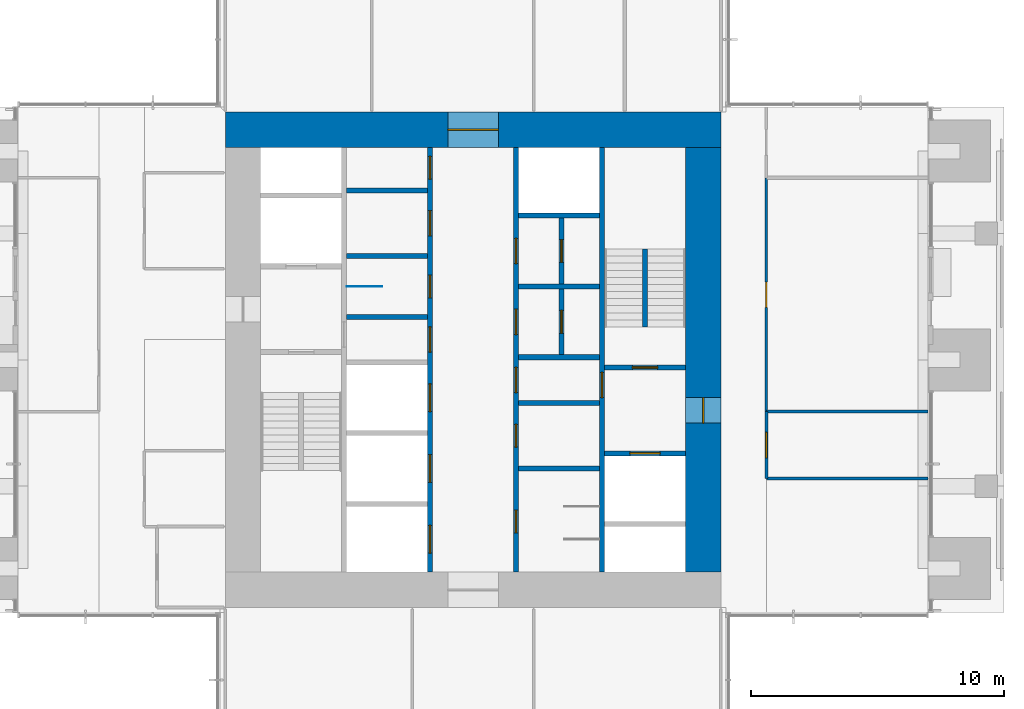
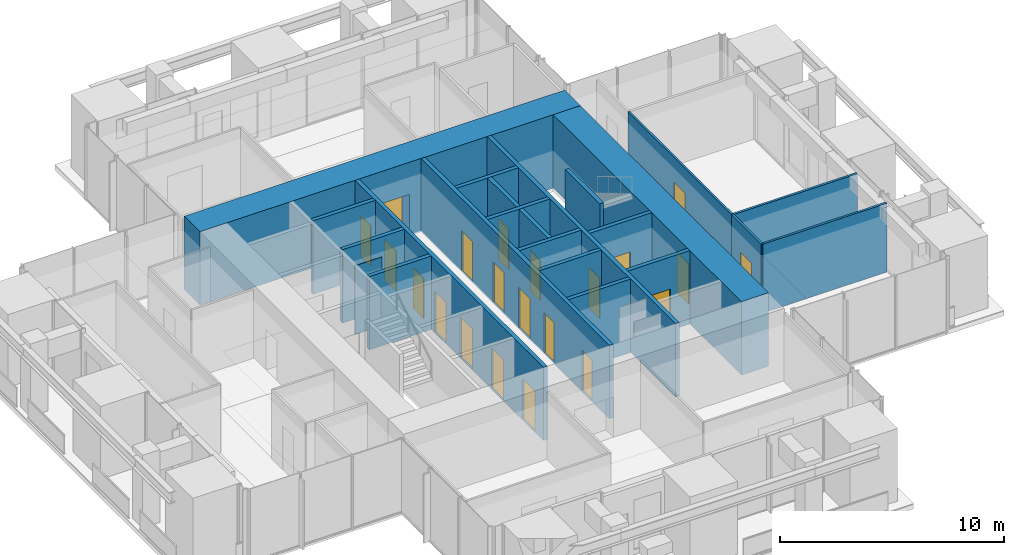
# One storey, part 13 of 17: 23 walls, 21 doors, 21 openings.
"""IFC4 building model written with IfcOpenShell, lengths in metres."""

from ifc_helpers import new_model, si_unit, direction, frame, frame_2d, origin, place, context, subcontext, project, spatial, rectangle, extrude, material, layer, layer_set, type_object, element, fill, save


model = new_model("IFC4")

# Units and contexts
model_context = context("Model", 3, precision=1e-05, world=origin(), true_north=direction((0.0, 1.0)))
body_context = subcontext(model_context, "Body", "Model", "MODEL_VIEW")
ifc_project = project(units=[si_unit("LENGTHUNIT", "METRE"), si_unit("AREAUNIT", "SQUARE_METRE"), si_unit("VOLUMEUNIT", "CUBIC_METRE"), si_unit("PLANEANGLEUNIT", "RADIAN"), si_unit("MASSUNIT", "GRAM", prefix="KILO")], contexts=[model_context])

# Site, building, storey
site_placement = place(None, origin())
site = spatial("IfcSite", under=ifc_project, at=site_placement, CompositionType="ELEMENT")
building_placement = place(site_placement, origin())
building = spatial("IfcBuilding", under=site, at=building_placement, Name="Svetlomir Tower", CompositionType="ELEMENT")
storey_placement = place(building_placement, frame((0.0, 0.0, 214.5)))
storey = spatial("IfcBuildingStorey", under=building, at=storey_placement, Name="L51", CompositionType="ELEMENT", Elevation=214.5)

# Wall, openings, doors
ifc_material_1 = material(Name="Concrete C60/75", Category="concrete")
ifc_layer_1 = layer(ifc_material_1, 0.199951171875)
ifc_layer_set_1 = layer_set([ifc_layer_1], Name="Concrete C60/75")
wall_type_1 = type_object("IfcWallType", Name="CORE INNER WALL 200", PredefinedType="SHEAR", material=ifc_layer_set_1)
wall_1_placement = place(storey_placement, frame((19.300048828125, 12.60009765625, -0.050048828125), z_axis=(0.0, 0.0, 1.0), x_axis=(0.0, 1.0, 0.0)))
wall_1 = element("IfcWall", 1, at=wall_1_placement, inside=storey, type_object=wall_type_1, Name="Core inner wall 19.3 L51", PredefinedType="SHEAR", context=body_context, shape_type="SweptSolid", body=[
    extrude(rectangle(XDim=16.7998046875, YDim=0.199951171875, at=frame_2d((8.39990234375, 0.0))), origin(), (0.0, 0.0, 1.0), 4.0),
])
opening_1_placement = place(wall_1_placement, frame((8.699951171875, 0.0, 0.050048828125)))
opening_1 = element("IfcOpeningElement", 2, at=opening_1_placement, cuts=wall_1, Name="Opening DC", PredefinedType="OPENING", context=body_context, shape_type="SweptSolid", body=[
    extrude(rectangle(XDim=1.0, YDim=2.199951171875, at=frame_2d((0.5, 1.10009765625))), frame((0.0, 0.10986328125, 0.0), z_axis=(0.0, -1.0, 0.0), x_axis=(1.0, 0.0, 0.0)), (0.0, 0.0, 1.0), 0.219970703125),
])
opening_2_placement = place(wall_1_placement, frame((10.85009765625, 0.0, 0.050048828125)))
opening_2 = element("IfcOpeningElement", 3, at=opening_2_placement, cuts=wall_1, Name="Opening DW", PredefinedType="OPENING", context=body_context, shape_type="SweptSolid", body=[
    extrude(rectangle(XDim=0.89990234375, YDim=2.199951171875, at=frame_2d((0.449951171875, 1.10009765625))), frame((0.0, 0.10986328125, 0.0), z_axis=(0.0, -1.0, 0.0), x_axis=(1.0, 0.0, 0.0)), (0.0, 0.0, 1.0), 0.219970703125),
])
opening_3_placement = place(wall_1_placement, frame((13.300048828125, 0.0, 0.050048828125)))
opening_3 = element("IfcOpeningElement", 4, at=opening_3_placement, cuts=wall_1, Name="Opening DC", PredefinedType="OPENING", context=body_context, shape_type="SweptSolid", body=[
    extrude(rectangle(XDim=1.0, YDim=2.199951171875, at=frame_2d((0.5, 1.10009765625))), frame((0.0, 0.10986328125, 0.0), z_axis=(0.0, -1.0, 0.0), x_axis=(1.0, 0.0, 0.0)), (0.0, 0.0, 1.0), 0.219970703125),
])
opening_4_placement = place(wall_1_placement, frame((15.550048828125, 0.0, 0.050048828125)))
opening_4 = element("IfcOpeningElement", 5, at=opening_4_placement, cuts=wall_1, Name="Opening DW", PredefinedType="OPENING", context=body_context, shape_type="SweptSolid", body=[
    extrude(rectangle(XDim=0.89990234375, YDim=2.199951171875, at=frame_2d((0.449951171875, 1.10009765625))), frame((0.0, 0.10986328125, 0.0), z_axis=(0.0, -1.0, 0.0), x_axis=(1.0, 0.0, 0.0)), (0.0, 0.0, 1.0), 0.219970703125),
])
opening_5_placement = place(wall_1_placement, frame((0.75, 0.0, 0.050048828125)))
opening_5 = element("IfcOpeningElement", 6, at=opening_5_placement, cuts=wall_1, Name="Opening LD", PredefinedType="OPENING", context=body_context, shape_type="SweptSolid", body=[
    extrude(rectangle(XDim=1.10009765625, YDim=2.199951171875, at=frame_2d((0.550048828125, 1.10009765625))), frame((0.0, 0.10986328125, 0.0), z_axis=(0.0, -1.0, 0.0), x_axis=(1.0, 0.0, 0.0)), (0.0, 0.0, 1.0), 0.219970703125),
])
opening_6_placement = place(wall_1_placement, frame((3.550048828125, 0.0, 0.050048828125)))
opening_6 = element("IfcOpeningElement", 7, at=opening_6_placement, cuts=wall_1, Name="Opening LD", PredefinedType="OPENING", context=body_context, shape_type="SweptSolid", body=[
    extrude(rectangle(XDim=1.10009765625, YDim=2.199951171875, at=frame_2d((0.550048828125, 1.10009765625))), frame((0.0, 0.10986328125, 0.0), z_axis=(0.0, -1.0, 0.0), x_axis=(1.0, 0.0, 0.0)), (0.0, 0.0, 1.0), 0.219970703125),
])
opening_7_placement = place(wall_1_placement, frame((6.35009765625, 0.0, 0.050048828125)))
opening_7 = element("IfcOpeningElement", 8, at=opening_7_placement, cuts=wall_1, Name="Opening LD", PredefinedType="OPENING", context=body_context, shape_type="SweptSolid", body=[
    extrude(rectangle(XDim=1.10009765625, YDim=2.199951171875, at=frame_2d((0.550048828125, 1.10009765625))), frame((0.0, 0.10986328125, 0.0), z_axis=(0.0, -1.0, 0.0), x_axis=(1.0, 0.0, 0.0)), (0.0, 0.0, 1.0), 0.219970703125),
])
ifc_material_2 = material(Name="Timber fire door", Category="wood")
door_type_1 = type_object("IfcDoorType", Name="DOOR DC 1000x2200", OperationType="SINGLE_SWING_LEFT", PredefinedType="DOOR", material=ifc_material_2)
door_1_placement = place(opening_1_placement, origin())
door_1 = element("IfcDoor", 9, at=door_1_placement, inside=storey, type_object=door_type_1, Name="Core corridor west lobby door L51", OperationType="SINGLE_SWING_LEFT", OverallHeight=2.199951171875, OverallWidth=1.0, PredefinedType="DOOR", context=body_context, shape_type="SweptSolid", body=[
    extrude(rectangle(XDim=1.0, YDim=2.199951171875, at=frame_2d((0.5, 1.10009765625))), frame((0.0, 0.02490234375, 0.0), z_axis=(0.0, -1.0, 0.0), x_axis=(1.0, 0.0, 0.0)), (0.0, 0.0, 1.0), 0.050048828125),
])
fill(opening_1, door_1)
door_2_placement = place(opening_3_placement, origin())
door_2 = element("IfcDoor", 10, at=door_2_placement, inside=storey, type_object=door_type_1, Name="Accessible WC door L51", OperationType="SINGLE_SWING_RIGHT", OverallHeight=2.199951171875, OverallWidth=1.0, PredefinedType="DOOR", context=body_context, shape_type="SweptSolid", body=[
    extrude(rectangle(XDim=1.0, YDim=2.199951171875, at=frame_2d((0.5, 1.10009765625))), frame((0.0, 0.02490234375, 0.0), z_axis=(0.0, -1.0, 0.0), x_axis=(1.0, 0.0, 0.0)), (0.0, 0.0, 1.0), 0.050048828125),
])
fill(opening_3, door_2)
ifc_material_3 = material(Name="Timber fire door", Category="wood")
door_type_2 = type_object("IfcDoorType", Name="DOOR DW 900x2200", OperationType="SINGLE_SWING_LEFT", PredefinedType="DOOR", material=ifc_material_3)
door_3_placement = place(opening_2_placement, origin())
door_3 = element("IfcDoor", 11, at=door_3_placement, inside=storey, type_object=door_type_2, Name="Female WC door L51", OperationType="SINGLE_SWING_LEFT", OverallHeight=2.199951171875, OverallWidth=0.89990234375, PredefinedType="DOOR", context=body_context, shape_type="SweptSolid", body=[
    extrude(rectangle(XDim=0.89990234375, YDim=2.199951171875, at=frame_2d((0.449951171875, 1.10009765625))), frame((0.0, 0.02490234375, 0.0), z_axis=(0.0, -1.0, 0.0), x_axis=(1.0, 0.0, 0.0)), (0.0, 0.0, 1.0), 0.050048828125),
])
fill(opening_2, door_3)
door_4_placement = place(opening_4_placement, origin())
door_4 = element("IfcDoor", 12, at=door_4_placement, inside=storey, type_object=door_type_2, Name="IT floor distributor room door L51", OperationType="SINGLE_SWING_LEFT", OverallHeight=2.199951171875, OverallWidth=0.89990234375, PredefinedType="DOOR", context=body_context, shape_type="SweptSolid", body=[
    extrude(rectangle(XDim=0.89990234375, YDim=2.199951171875, at=frame_2d((0.449951171875, 1.10009765625))), frame((0.0, 0.02490234375, 0.0), z_axis=(0.0, -1.0, 0.0), x_axis=(1.0, 0.0, 0.0)), (0.0, 0.0, 1.0), 0.050048828125),
])
fill(opening_4, door_4)
ifc_material_4 = material(Name="Stainless steel landing door", Category="steel")
door_type_3 = type_object("IfcDoorType", Name="LIFT LANDING DOOR LD 1100x2200", OperationType="DOUBLE_DOOR_SLIDING", PredefinedType="DOOR", material=ifc_material_4)
door_5_placement = place(opening_5_placement, origin())
door_5 = element("IfcDoor", 13, at=door_5_placement, inside=storey, type_object=door_type_3, Name="Landing door lift LC1 L51", OperationType="DOUBLE_DOOR_SLIDING", OverallHeight=2.199951171875, OverallWidth=1.10009765625, PredefinedType="DOOR", context=body_context, shape_type="SweptSolid", body=[
    extrude(rectangle(XDim=1.10009765625, YDim=2.199951171875, at=frame_2d((0.550048828125, 1.10009765625))), frame((0.0, 0.02490234375, 0.0), z_axis=(0.0, -1.0, 0.0), x_axis=(1.0, 0.0, 0.0)), (0.0, 0.0, 1.0), 0.050048828125),
])
fill(opening_5, door_5)
door_6_placement = place(opening_6_placement, origin())
door_6 = element("IfcDoor", 14, at=door_6_placement, inside=storey, type_object=door_type_3, Name="Landing door lift LC2 L51", OperationType="DOUBLE_DOOR_SLIDING", OverallHeight=2.199951171875, OverallWidth=1.10009765625, PredefinedType="DOOR", context=body_context, shape_type="SweptSolid", body=[
    extrude(rectangle(XDim=1.10009765625, YDim=2.199951171875, at=frame_2d((0.550048828125, 1.10009765625))), frame((0.0, 0.02490234375, 0.0), z_axis=(0.0, -1.0, 0.0), x_axis=(1.0, 0.0, 0.0)), (0.0, 0.0, 1.0), 0.050048828125),
])
fill(opening_6, door_6)
door_7_placement = place(opening_7_placement, origin())
door_7 = element("IfcDoor", 15, at=door_7_placement, inside=storey, type_object=door_type_3, Name="Landing door lift LC3 L51", OperationType="DOUBLE_DOOR_SLIDING", OverallHeight=2.199951171875, OverallWidth=1.10009765625, PredefinedType="DOOR", context=body_context, shape_type="SweptSolid", body=[
    extrude(rectangle(XDim=1.10009765625, YDim=2.199951171875, at=frame_2d((0.550048828125, 1.10009765625))), frame((0.0, 0.02490234375, 0.0), z_axis=(0.0, -1.0, 0.0), x_axis=(1.0, 0.0, 0.0)), (0.0, 0.0, 1.0), 0.050048828125),
])
fill(opening_7, door_7)

wall_2_placement = place(storey_placement, frame((22.699951171875, 12.60009765625, -0.050048828125), z_axis=(0.0, 0.0, 1.0), x_axis=(0.0, 1.0, 0.0)))
wall_2 = element("IfcWall", 16, at=wall_2_placement, inside=storey, type_object=wall_type_1, Name="Core inner wall 22.7 L51", PredefinedType="SHEAR", context=body_context, shape_type="SweptSolid", body=[
    extrude(rectangle(XDim=16.7998046875, YDim=0.199951171875, at=frame_2d((8.39990234375, 0.0))), origin(), (0.0, 0.0, 1.0), 4.0),
])
opening_8_placement = place(wall_2_placement, frame((7.10009765625, 0.0, 0.050048828125)))
opening_8 = element("IfcOpeningElement", 17, at=opening_8_placement, cuts=wall_2, Name="Opening DC", PredefinedType="OPENING", context=body_context, shape_type="SweptSolid", body=[
    extrude(rectangle(XDim=1.0, YDim=2.199951171875, at=frame_2d((0.5, 1.10009765625))), frame((0.0, 0.10986328125, 0.0), z_axis=(0.0, -1.0, 0.0), x_axis=(1.0, 0.0, 0.0)), (0.0, 0.0, 1.0), 0.219970703125),
])
opening_9_placement = place(wall_2_placement, frame((1.550048828125, 0.0, 0.050048828125)))
opening_9 = element("IfcOpeningElement", 18, at=opening_9_placement, cuts=wall_2, Name="Opening DW", PredefinedType="OPENING", context=body_context, shape_type="SweptSolid", body=[
    extrude(rectangle(XDim=0.89990234375, YDim=2.199951171875, at=frame_2d((0.449951171875, 1.10009765625))), frame((0.0, 0.10986328125, 0.0), z_axis=(0.0, -1.0, 0.0), x_axis=(1.0, 0.0, 0.0)), (0.0, 0.0, 1.0), 0.219970703125),
])
opening_10_placement = place(wall_2_placement, frame((4.949951171875, 0.0, 0.050048828125)))
opening_10 = element("IfcOpeningElement", 19, at=opening_10_placement, cuts=wall_2, Name="Opening DW", PredefinedType="OPENING", context=body_context, shape_type="SweptSolid", body=[
    extrude(rectangle(XDim=0.89990234375, YDim=2.199951171875, at=frame_2d((0.449951171875, 1.10009765625))), frame((0.0, 0.10986328125, 0.0), z_axis=(0.0, -1.0, 0.0), x_axis=(1.0, 0.0, 0.0)), (0.0, 0.0, 1.0), 0.219970703125),
])
opening_11_placement = place(wall_2_placement, frame((9.39990234375, 0.0, 0.050048828125)))
opening_11 = element("IfcOpeningElement", 20, at=opening_11_placement, cuts=wall_2, Name="Opening DC", PredefinedType="OPENING", context=body_context, shape_type="SweptSolid", body=[
    extrude(rectangle(XDim=1.0, YDim=2.199951171875, at=frame_2d((0.5, 1.10009765625))), frame((0.0, 0.10986328125, 0.0), z_axis=(0.0, -1.0, 0.0), x_axis=(1.0, 0.0, 0.0)), (0.0, 0.0, 1.0), 0.219970703125),
])
opening_12_placement = place(wall_2_placement, frame((12.199951171875, 0.0, 0.050048828125)))
opening_12 = element("IfcOpeningElement", 21, at=opening_12_placement, cuts=wall_2, Name="Opening DC", PredefinedType="OPENING", context=body_context, shape_type="SweptSolid", body=[
    extrude(rectangle(XDim=1.0, YDim=2.199951171875, at=frame_2d((0.5, 1.10009765625))), frame((0.0, 0.10986328125, 0.0), z_axis=(0.0, -1.0, 0.0), x_axis=(1.0, 0.0, 0.0)), (0.0, 0.0, 1.0), 0.219970703125),
])
door_8_placement = place(opening_8_placement, origin())
door_8 = element("IfcDoor", 22, at=door_8_placement, inside=storey, type_object=door_type_1, Name="Core corridor east lobby door L51", OperationType="SINGLE_SWING_RIGHT", OverallHeight=2.199951171875, OverallWidth=1.0, PredefinedType="DOOR", context=body_context, shape_type="SweptSolid", body=[
    extrude(rectangle(XDim=1.0, YDim=2.199951171875, at=frame_2d((0.5, 1.10009765625))), frame((0.0, 0.02490234375, 0.0), z_axis=(0.0, -1.0, 0.0), x_axis=(1.0, 0.0, 0.0)), (0.0, 0.0, 1.0), 0.050048828125),
])
fill(opening_8, door_8)
door_9_placement = place(opening_11_placement, origin())
door_9 = element("IfcDoor", 23, at=door_9_placement, inside=storey, type_object=door_type_1, Name="Converted shaft BANK-E1 room door L51", OperationType="SINGLE_SWING_RIGHT", OverallHeight=2.199951171875, OverallWidth=1.0, PredefinedType="DOOR", context=body_context, shape_type="SweptSolid", body=[
    extrude(rectangle(XDim=1.0, YDim=2.199951171875, at=frame_2d((0.5, 1.10009765625))), frame((0.0, 0.02490234375, 0.0), z_axis=(0.0, -1.0, 0.0), x_axis=(1.0, 0.0, 0.0)), (0.0, 0.0, 1.0), 0.050048828125),
])
fill(opening_11, door_9)
door_10_placement = place(opening_12_placement, origin())
door_10 = element("IfcDoor", 24, at=door_10_placement, inside=storey, type_object=door_type_1, Name="Converted shaft BANK-E2 room door L51", OperationType="SINGLE_SWING_RIGHT", OverallHeight=2.199951171875, OverallWidth=1.0, PredefinedType="DOOR", context=body_context, shape_type="SweptSolid", body=[
    extrude(rectangle(XDim=1.0, YDim=2.199951171875, at=frame_2d((0.5, 1.10009765625))), frame((0.0, 0.02490234375, 0.0), z_axis=(0.0, -1.0, 0.0), x_axis=(1.0, 0.0, 0.0)), (0.0, 0.0, 1.0), 0.050048828125),
])
fill(opening_12, door_10)
door_11_placement = place(opening_9_placement, origin())
door_11 = element("IfcDoor", 25, at=door_11_placement, inside=storey, type_object=door_type_2, Name="Male WC door L51", OperationType="SINGLE_SWING_RIGHT", OverallHeight=2.199951171875, OverallWidth=0.89990234375, PredefinedType="DOOR", context=body_context, shape_type="SweptSolid", body=[
    extrude(rectangle(XDim=0.89990234375, YDim=2.199951171875, at=frame_2d((0.449951171875, 1.10009765625))), frame((0.0, 0.02490234375, 0.0), z_axis=(0.0, -1.0, 0.0), x_axis=(1.0, 0.0, 0.0)), (0.0, 0.0, 1.0), 0.050048828125),
])
fill(opening_9, door_11)
door_12_placement = place(opening_10_placement, origin())
door_12 = element("IfcDoor", 26, at=door_12_placement, inside=storey, type_object=door_type_2, Name="Comms room door L51", OperationType="SINGLE_SWING_LEFT", OverallHeight=2.199951171875, OverallWidth=0.89990234375, PredefinedType="DOOR", context=body_context, shape_type="SweptSolid", body=[
    extrude(rectangle(XDim=0.89990234375, YDim=2.199951171875, at=frame_2d((0.449951171875, 1.10009765625))), frame((0.0, 0.02490234375, 0.0), z_axis=(0.0, -1.0, 0.0), x_axis=(1.0, 0.0, 0.0)), (0.0, 0.0, 1.0), 0.050048828125),
])
fill(opening_10, door_12)

# Wall, opening, door
wall_3_placement = place(storey_placement, frame((26.10009765625, 12.60009765625, -0.050048828125), z_axis=(0.0, 0.0, 1.0), x_axis=(0.0, 1.0, 0.0)))
wall_3 = element("IfcWall", 27, at=wall_3_placement, inside=storey, type_object=wall_type_1, Name="Core inner wall 26.1 L51", PredefinedType="SHEAR", context=body_context, shape_type="SweptSolid", body=[
    extrude(rectangle(XDim=16.7998046875, YDim=0.199951171875, at=frame_2d((8.39990234375, 0.0))), origin(), (0.0, 0.0, 1.0), 4.0),
])
opening_13_placement = place(wall_3_placement, frame((6.89990234375, 0.0, 0.050048828125)))
opening_13 = element("IfcOpeningElement", 28, at=opening_13_placement, cuts=wall_3, Name="Opening DF", PredefinedType="OPENING", context=body_context, shape_type="SweptSolid", body=[
    extrude(rectangle(XDim=1.0, YDim=2.199951171875, at=frame_2d((0.5, 1.10009765625))), frame((0.0, 0.10986328125, 0.0), z_axis=(0.0, -1.0, 0.0), x_axis=(1.0, 0.0, 0.0)), (0.0, 0.0, 1.0), 0.219970703125),
])
ifc_material_5 = material(Name="Steel fire door", Category="steel")
door_type_4 = type_object("IfcDoorType", Name="DOOR DF 1000x2200", OperationType="SINGLE_SWING_LEFT", PredefinedType="DOOR", material=ifc_material_5)
door_13_placement = place(opening_13_placement, origin())
door_13 = element("IfcDoor", 29, at=door_13_placement, inside=storey, type_object=door_type_4, Name="Core corridor east door L51", OperationType="SINGLE_SWING_LEFT", OverallHeight=2.199951171875, OverallWidth=1.0, PredefinedType="DOOR", context=body_context, shape_type="SweptSolid", body=[
    extrude(rectangle(XDim=1.0, YDim=2.199951171875, at=frame_2d((0.5, 1.10009765625))), frame((0.0, 0.02490234375, 0.0), z_axis=(0.0, -1.0, 0.0), x_axis=(1.0, 0.0, 0.0)), (0.0, 0.0, 1.0), 0.050048828125),
])
fill(opening_13, door_13)

# Walls
for number, where, z_axis, x_axis, name in (
    (30, (16.0, 22.699951171875, -0.050048828125), (0.0, 0.0, 1.0), (1.0, 0.0, 0.0), "Core inner wall 16-19.2/22.7 L51"),
    (31, (16.0, 25.10009765625, -0.050048828125), (0.0, 0.0, 1.0), (1.0, 0.0, 0.0), "Core inner wall 16-19.2/25.1 L51"),
    (32, (16.0, 27.699951171875, -0.050048828125), (0.0, 0.0, 1.0), (1.0, 0.0, 0.0), "Core inner wall 16-19.2/27.7 L51"),
    (33, (22.800048828125, 16.699951171875, -0.050048828125), (0.0, 0.0, 1.0), (1.0, 0.0, 0.0), "Core inner wall 22.8-26/16.7 L51"),
    (34, (22.800048828125, 19.300048828125, -0.050048828125), (0.0, 0.0, 1.0), (1.0, 0.0, 0.0), "Core inner wall 22.8-26/19.3 L51"),
    (35, (22.800048828125, 21.10009765625, -0.050048828125), (0.0, 0.0, 1.0), (1.0, 0.0, 0.0), "Core inner wall 22.8-26/21.1 L51"),
    (36, (22.800048828125, 23.89990234375, -0.050048828125), (0.0, 0.0, 1.0), (1.0, 0.0, 0.0), "Core inner wall 22.8-26/23.9 L51"),
    (37, (22.800048828125, 26.699951171875, -0.050048828125), (0.0, 0.0, 1.0), (1.0, 0.0, 0.0), "Core inner wall 22.8-26/26.7 L51"),
):
    element("IfcWall", number, at=place(storey_placement, frame(where, z_axis=z_axis, x_axis=x_axis)), inside=storey, type_object=wall_type_1, Name=name, PredefinedType="SHEAR", context=body_context, shape_type="SweptSolid", body=[
        extrude(rectangle(XDim=3.199951171875, YDim=0.199951171875, at=frame_2d((1.60009765625, 0.0))), origin(), (0.0, 0.0, 1.0), 4.0),
    ])

# Wall, opening, door
wall_4_placement = place(storey_placement, frame((26.199951171875, 17.300048828125, -0.050048828125), z_axis=(0.0, 0.0, 1.0), x_axis=(1.0, 0.0, 0.0)))
wall_4 = element("IfcWall", 38, at=wall_4_placement, inside=storey, type_object=wall_type_1, Name="Core inner wall 26.2-29.4/17.3 L51", PredefinedType="SHEAR", context=body_context, shape_type="SweptSolid", body=[
    extrude(rectangle(XDim=3.199951171875, YDim=0.199951171875, at=frame_2d((1.60009765625, 0.0))), origin(), (0.0, 0.0, 1.0), 4.0),
])
opening_14_placement = place(wall_4_placement, frame((1.0, 0.0, 0.050048828125)))
opening_14 = element("IfcOpeningElement", 39, at=opening_14_placement, cuts=wall_4, Name="Opening LD3", PredefinedType="OPENING", context=body_context, shape_type="SweptSolid", body=[
    extrude(rectangle(XDim=1.199951171875, YDim=2.199951171875, at=frame_2d((0.60009765625, 1.10009765625))), frame((0.0, 0.10986328125, 0.0), z_axis=(0.0, -1.0, 0.0), x_axis=(1.0, 0.0, 0.0)), (0.0, 0.0, 1.0), 0.219970703125),
])
ifc_material_6 = material(Name="Stainless steel fire-rated landing door", Category="steel")
door_type_5 = type_object("IfcDoorType", Name="FIREFIGHTING LIFT LANDING DOOR LD3 1200x2200", OperationType="DOUBLE_DOOR_SLIDING", PredefinedType="DOOR", material=ifc_material_6)
door_14_placement = place(opening_14_placement, origin())
door_14 = element("IfcDoor", 40, at=door_14_placement, inside=storey, type_object=door_type_5, Name="Landing door lift FL2 L51", OperationType="DOUBLE_DOOR_SLIDING", OverallHeight=2.199951171875, OverallWidth=1.199951171875, PredefinedType="DOOR", context=body_context, shape_type="SweptSolid", body=[
    extrude(rectangle(XDim=1.199951171875, YDim=2.199951171875, at=frame_2d((0.60009765625, 1.10009765625))), frame((0.0, 0.02490234375, 0.0), z_axis=(0.0, -1.0, 0.0), x_axis=(1.0, 0.0, 0.0)), (0.0, 0.0, 1.0), 0.050048828125),
])
fill(opening_14, door_14)

wall_5_placement = place(storey_placement, frame((26.199951171875, 20.699951171875, -0.050048828125), z_axis=(0.0, 0.0, 1.0), x_axis=(1.0, 0.0, 0.0)))
wall_5 = element("IfcWall", 41, at=wall_5_placement, inside=storey, type_object=wall_type_1, Name="Core inner wall 26.2-29.4/20.7 L51", PredefinedType="SHEAR", context=body_context, shape_type="SweptSolid", body=[
    extrude(rectangle(XDim=3.199951171875, YDim=0.199951171875, at=frame_2d((1.60009765625, 0.0))), origin(), (0.0, 0.0, 1.0), 4.0),
])
opening_15_placement = place(wall_5_placement, frame((1.10009765625, 0.0, 0.050048828125)))
opening_15 = element("IfcOpeningElement", 42, at=opening_15_placement, cuts=wall_5, Name="Opening DF", PredefinedType="OPENING", context=body_context, shape_type="SweptSolid", body=[
    extrude(rectangle(XDim=1.0, YDim=2.199951171875, at=frame_2d((0.5, 1.10009765625))), frame((0.0, 0.10986328125, 0.0), z_axis=(0.0, -1.0, 0.0), x_axis=(1.0, 0.0, 0.0)), (0.0, 0.0, 1.0), 0.219970703125),
])
door_15_placement = place(opening_15_placement, origin())
door_15 = element("IfcDoor", 43, at=door_15_placement, inside=storey, type_object=door_type_4, Name="Stair S2 door L51", OperationType="SINGLE_SWING_RIGHT", OverallHeight=2.199951171875, OverallWidth=1.0, PredefinedType="DOOR", context=body_context, shape_type="SweptSolid", body=[
    extrude(rectangle(XDim=1.0, YDim=2.199951171875, at=frame_2d((0.5, 1.10009765625))), frame((0.0, 0.02490234375, 0.0), z_axis=(0.0, -1.0, 0.0), x_axis=(1.0, 0.0, 0.0)), (0.0, 0.0, 1.0), 0.050048828125),
])
fill(opening_15, door_15)

wall_6_placement = place(storey_placement, frame((24.5, 21.199951171875, -0.050048828125), z_axis=(0.0, 0.0, 1.0), x_axis=(0.0, 1.0, 0.0)))
wall_6 = element("IfcWall", 44, at=wall_6_placement, inside=storey, type_object=wall_type_1, Name="Core inner wall 24.5/21.2-23.8 L51", PredefinedType="SHEAR", context=body_context, shape_type="SweptSolid", body=[
    extrude(rectangle(XDim=2.60009765625, YDim=0.199951171875, at=frame_2d((1.300048828125, 0.0))), origin(), (0.0, 0.0, 1.0), 4.0),
])
opening_16_placement = place(wall_6_placement, frame((0.85009765625, 0.0, 0.050048828125)))
opening_16 = element("IfcOpeningElement", 45, at=opening_16_placement, cuts=wall_6, Name="Opening DW", PredefinedType="OPENING", context=body_context, shape_type="SweptSolid", body=[
    extrude(rectangle(XDim=0.89990234375, YDim=2.199951171875, at=frame_2d((0.449951171875, 1.10009765625))), frame((0.0, 0.10986328125, 0.0), z_axis=(0.0, -1.0, 0.0), x_axis=(1.0, 0.0, 0.0)), (0.0, 0.0, 1.0), 0.219970703125),
])
door_16_placement = place(opening_16_placement, origin())
door_16 = element("IfcDoor", 46, at=door_16_placement, inside=storey, type_object=door_type_2, Name="Converted shaft BANK-E1 back room door L51", OperationType="SINGLE_SWING_LEFT", OverallHeight=2.199951171875, OverallWidth=0.89990234375, PredefinedType="DOOR", context=body_context, shape_type="SweptSolid", body=[
    extrude(rectangle(XDim=0.89990234375, YDim=2.199951171875, at=frame_2d((0.449951171875, 1.10009765625))), frame((0.0, 0.02490234375, 0.0), z_axis=(0.0, -1.0, 0.0), x_axis=(1.0, 0.0, 0.0)), (0.0, 0.0, 1.0), 0.050048828125),
])
fill(opening_16, door_16)

wall_7_placement = place(storey_placement, frame((24.5, 24.0, -0.050048828125), z_axis=(0.0, 0.0, 1.0), x_axis=(0.0, 1.0, 0.0)))
wall_7 = element("IfcWall", 47, at=wall_7_placement, inside=storey, type_object=wall_type_1, Name="Core inner wall 24.5/24-26.6 L51", PredefinedType="SHEAR", context=body_context, shape_type="SweptSolid", body=[
    extrude(rectangle(XDim=2.60009765625, YDim=0.199951171875, at=frame_2d((1.300048828125, 0.0))), origin(), (0.0, 0.0, 1.0), 4.0),
])
opening_17_placement = place(wall_7_placement, frame((0.85009765625, 0.0, 0.050048828125)))
opening_17 = element("IfcOpeningElement", 48, at=opening_17_placement, cuts=wall_7, Name="Opening DW", PredefinedType="OPENING", context=body_context, shape_type="SweptSolid", body=[
    extrude(rectangle(XDim=0.89990234375, YDim=2.199951171875, at=frame_2d((0.449951171875, 1.10009765625))), frame((0.0, 0.10986328125, 0.0), z_axis=(0.0, -1.0, 0.0), x_axis=(1.0, 0.0, 0.0)), (0.0, 0.0, 1.0), 0.219970703125),
])
door_17_placement = place(opening_17_placement, origin())
door_17 = element("IfcDoor", 49, at=door_17_placement, inside=storey, type_object=door_type_2, Name="Converted shaft BANK-E2 back room door L51", OperationType="SINGLE_SWING_LEFT", OverallHeight=2.199951171875, OverallWidth=0.89990234375, PredefinedType="DOOR", context=body_context, shape_type="SweptSolid", body=[
    extrude(rectangle(XDim=0.89990234375, YDim=2.199951171875, at=frame_2d((0.449951171875, 1.10009765625))), frame((0.0, 0.02490234375, 0.0), z_axis=(0.0, -1.0, 0.0), x_axis=(1.0, 0.0, 0.0)), (0.0, 0.0, 1.0), 0.050048828125),
])
fill(opening_17, door_17)

ifc_material_7 = material(Name="Concrete C60/75", Category="concrete")
ifc_layer_2 = layer(ifc_material_7, 1.39990234375)
ifc_layer_set_2 = layer_set([ifc_layer_2], Name="Concrete C60/75")
wall_type_2 = type_object("IfcWallType", Name="CORE WALL 1400", PredefinedType="SHEAR", material=ifc_layer_set_2)
wall_8_placement = place(storey_placement, frame((11.199951171875, 30.10009765625, -0.050048828125), z_axis=(0.0, 0.0, 1.0), x_axis=(1.0, 0.0, 0.0)))
wall_8 = element("IfcWall", 50, at=wall_8_placement, inside=storey, type_object=wall_type_2, Name="Core wall north L51", PredefinedType="SHEAR", context=body_context, shape_type="SweptSolid", body=[
    extrude(rectangle(XDim=19.60009765625, YDim=1.39990234375, at=frame_2d((9.800048828125, 0.0))), origin(), (0.0, 0.0, 1.0), 4.0),
])
opening_18_placement = place(wall_8_placement, frame((8.800048828125, 0.0, 0.050048828125)))
opening_18 = element("IfcOpeningElement", 51, at=opening_18_placement, cuts=wall_8, Name="Opening DL", PredefinedType="OPENING", context=body_context, shape_type="SweptSolid", body=[
    extrude(rectangle(XDim=2.0, YDim=2.199951171875, at=frame_2d((1.0, 1.10009765625))), frame((0.0, 0.7099609375, 0.0), z_axis=(0.0, -1.0, 0.0), x_axis=(1.0, 0.0, 0.0)), (0.0, 0.0, 1.0), 1.419921875),
])
ifc_material_8 = material(Name="Steel fire door", Category="steel")
door_type_6 = type_object("IfcDoorType", Name="DOOR DL 2000x2200", OperationType="DOUBLE_DOOR_SINGLE_SWING", PredefinedType="DOOR", material=ifc_material_8)
door_18_placement = place(opening_18_placement, origin())
door_18 = element("IfcDoor", 52, at=door_18_placement, inside=storey, type_object=door_type_6, Name="Lift lobby north door L51", OperationType="DOUBLE_DOOR_SINGLE_SWING", OverallHeight=2.199951171875, OverallWidth=2.0, PredefinedType="DOOR", context=body_context, shape_type="SweptSolid", body=[
    extrude(rectangle(XDim=2.0, YDim=2.199951171875, at=frame_2d((1.0, 1.10009765625))), frame((0.0, 0.02490234375, 0.0), z_axis=(0.0, -1.0, 0.0), x_axis=(1.0, 0.0, 0.0)), (0.0, 0.0, 1.0), 0.050048828125),
])
fill(opening_18, door_18)

wall_9_placement = place(storey_placement, frame((30.10009765625, 12.60009765625, -0.050048828125), z_axis=(0.0, 0.0, 1.0), x_axis=(0.0, 1.0, 0.0)))
wall_9 = element("IfcWall", 53, at=wall_9_placement, inside=storey, type_object=wall_type_2, Name="Core wall east L51", PredefinedType="SHEAR", context=body_context, shape_type="SweptSolid", body=[
    extrude(rectangle(XDim=16.7998046875, YDim=1.39990234375, at=frame_2d((8.39990234375, 0.0))), origin(), (0.0, 0.0, 1.0), 4.0),
])
opening_19_placement = place(wall_9_placement, frame((5.89990234375, 0.0, 0.050048828125)))
opening_19 = element("IfcOpeningElement", 54, at=opening_19_placement, cuts=wall_9, Name="Opening DF", PredefinedType="OPENING", context=body_context, shape_type="SweptSolid", body=[
    extrude(rectangle(XDim=1.0, YDim=2.199951171875, at=frame_2d((0.5, 1.10009765625))), frame((0.0, 0.7099609375, 0.0), z_axis=(0.0, -1.0, 0.0), x_axis=(1.0, 0.0, 0.0)), (0.0, 0.0, 1.0), 1.419921875),
])
door_19_placement = place(opening_19_placement, origin())
door_19 = element("IfcDoor", 55, at=door_19_placement, inside=storey, type_object=door_type_4, Name="Firefighting lobby east door L51", OperationType="SINGLE_SWING_RIGHT", OverallHeight=2.199951171875, OverallWidth=1.0, PredefinedType="DOOR", context=body_context, shape_type="SweptSolid", body=[
    extrude(rectangle(XDim=1.0, YDim=2.199951171875, at=frame_2d((0.5, 1.10009765625))), frame((0.0, 0.02490234375, 0.0), z_axis=(0.0, -1.0, 0.0), x_axis=(1.0, 0.0, 0.0)), (0.0, 0.0, 1.0), 0.050048828125),
])
fill(opening_19, door_19)

ifc_material_9 = material(Name="Framed laminated glass partition", Category="glass")
ifc_layer_3 = layer(ifc_material_9, 0.10009765625)
ifc_layer_set_3 = layer_set([ifc_layer_3], Name="Framed laminated glass partition")
wall_type_3 = type_object("IfcWallType", Name="GLAZED PARTITION 100", PredefinedType="PARTITIONING", material=ifc_layer_set_3)
wall_10_placement = place(storey_placement, frame((32.60009765625, 18.949951171875, 0.0), z_axis=(0.0, 0.0, 1.0), x_axis=(0.0, 1.0, 0.0)))
wall_10 = element("IfcWall", 56, at=wall_10_placement, inside=storey, type_object=wall_type_3, Name="Glazed partition L51", PredefinedType="PARTITIONING", context=body_context, shape_type="SweptSolid", body=[
    extrude(rectangle(XDim=9.25, YDim=0.10009765625, at=frame_2d((4.625, 0.0))), origin(), (0.0, 0.0, 1.0), 3.75),
])
opening_20_placement = place(wall_10_placement, frame((4.125, 0.0, 0.0)))
opening_20 = element("IfcOpeningElement", 57, at=opening_20_placement, cuts=wall_10, Name="Opening DG", PredefinedType="OPENING", context=body_context, shape_type="SweptSolid", body=[
    extrude(rectangle(XDim=1.0, YDim=2.39990234375, at=frame_2d((0.5, 1.199951171875))), frame((0.0, 0.06005859375, 0.0), z_axis=(0.0, -1.0, 0.0), x_axis=(1.0, 0.0, 0.0)), (0.0, 0.0, 1.0), 0.1201171875),
])
ifc_material_10 = material(Name="Framed laminated glass door", Category="glass")
door_type_7 = type_object("IfcDoorType", Name="GLAZED DOOR DG 1000x2400", OperationType="SINGLE_SWING_LEFT", PredefinedType="DOOR", material=ifc_material_10)
door_20_placement = place(opening_20_placement, origin())
door_20 = element("IfcDoor", 58, at=door_20_placement, inside=storey, type_object=door_type_7, Name="Learners' lounge and kitchenette door L51", OperationType="SINGLE_SWING_LEFT", OverallHeight=2.39990234375, OverallWidth=1.0, PredefinedType="DOOR", context=body_context, shape_type="SweptSolid", body=[
    extrude(rectangle(XDim=1.0, YDim=2.39990234375, at=frame_2d((0.5, 1.199951171875))), frame((0.0, 0.02490234375, 0.0), z_axis=(0.0, -1.0, 0.0), x_axis=(1.0, 0.0, 0.0)), (0.0, 0.0, 1.0), 0.050048828125),
])
fill(opening_20, door_20)

ifc_material_11 = material(Name="Gypsum board on steel studs", Category="steel")
ifc_layer_4 = layer(ifc_material_11, 0.1201171875)
ifc_layer_set_4 = layer_set([ifc_layer_4], Name="Gypsum board on steel studs")
wall_type_4 = type_object("IfcWallType", Name="PARTITION 120", PredefinedType="PARTITIONING", material=ifc_layer_set_4)
wall_11_placement = place(storey_placement, frame((32.60009765625, 16.300048828125, 0.0), z_axis=(0.0, 0.0, 1.0), x_axis=(0.0, 1.0, 0.0)))
wall_11 = element("IfcWall", 59, at=wall_11_placement, inside=storey, type_object=wall_type_4, Name="Partition L51", PredefinedType="PARTITIONING", context=body_context, shape_type="SweptSolid", body=[
    extrude(rectangle(XDim=2.64990234375, YDim=0.1201171875, at=frame_2d((1.324951171875, 0.0))), origin(), (0.0, 0.0, 1.0), 3.75),
])
opening_21_placement = place(wall_11_placement, frame((0.824951171875, 0.0, 0.0)))
opening_21 = element("IfcOpeningElement", 60, at=opening_21_placement, cuts=wall_11, Name="Opening DR", PredefinedType="OPENING", context=body_context, shape_type="SweptSolid", body=[
    extrude(rectangle(XDim=1.0, YDim=2.199951171875, at=frame_2d((0.5, 1.10009765625))), frame((0.0, 0.070068359375, 0.0), z_axis=(0.0, -1.0, 0.0), x_axis=(1.0, 0.0, 0.0)), (0.0, 0.0, 1.0), 0.14013671875),
])
ifc_material_12 = material(Name="Timber door, glazed side light", Category="wood")
door_type_8 = type_object("IfcDoorType", Name="DOOR DR 1000x2200", OperationType="SINGLE_SWING_LEFT", PredefinedType="DOOR", material=ifc_material_12)
door_21_placement = place(opening_21_placement, origin())
door_21 = element("IfcDoor", 61, at=door_21_placement, inside=storey, type_object=door_type_8, Name="Academy director office door L51", OperationType="SINGLE_SWING_RIGHT", OverallHeight=2.199951171875, OverallWidth=1.0, PredefinedType="DOOR", context=body_context, shape_type="SweptSolid", body=[
    extrude(rectangle(XDim=1.0, YDim=2.199951171875, at=frame_2d((0.5, 1.10009765625))), frame((0.0, 0.02490234375, 0.0), z_axis=(0.0, -1.0, 0.0), x_axis=(1.0, 0.0, 0.0)), (0.0, 0.0, 1.0), 0.050048828125),
])
fill(opening_21, door_21)

# Walls
for number, where, z_axis, x_axis, name in (
    (62, (32.60009765625, 16.300048828125, 0.0), (0.0, 0.0, 1.0), (1.0, 0.0, 0.0), "Partition L51"),
    (63, (32.60009765625, 18.949951171875, 0.0), (0.0, 0.0, 1.0), (1.0, 0.0, 0.0), "Partition L51"),
):
    element("IfcWall", number, at=place(storey_placement, frame(where, z_axis=z_axis, x_axis=x_axis)), inside=storey, type_object=wall_type_4, Name=name, PredefinedType="PARTITIONING", context=body_context, shape_type="SweptSolid", body=[
        extrude(rectangle(XDim=6.39990234375, YDim=0.1201171875, at=frame_2d((3.199951171875, 0.0))), origin(), (0.0, 0.0, 1.0), 3.75),
    ])
ifc_material_13 = material(Name="Concrete C60/75", Category="concrete")
ifc_layer_5 = layer(ifc_material_13, 0.199951171875)
ifc_layer_set_5 = layer_set([ifc_layer_5], Name="Concrete C60/75")
wall_type_5 = type_object("IfcWallType", Name="STAIR SPINE WALL 200", PredefinedType="PARTITIONING", material=ifc_layer_set_5)
wall_12_placement = place(storey_placement, frame((27.800048828125, 22.300048828125, 0.0), z_axis=(0.0, 0.0, 1.0), x_axis=(0.0, 1.0, 0.0)))
element("IfcWall", 64, at=wall_12_placement, inside=storey, type_object=wall_type_5, Name="Stair S2 spine wall L51", PredefinedType="PARTITIONING", context=body_context, shape_type="SweptSolid", body=[
    extrude(rectangle(XDim=3.079833984375, YDim=0.199951171875, at=frame_2d((1.5400390625, 0.0))), origin(), (0.0, 0.0, 1.0), 4.0),
])
ifc_material_14 = material(Name="Compact laminate panel", Category="plastic")
ifc_layer_6 = layer(ifc_material_14, 0.030029296875)
ifc_layer_set_6 = layer_set([ifc_layer_6], Name="Compact laminate panel")
wall_type_6 = type_object("IfcWallType", Name="WC CUBICLE PARTITION 30", PredefinedType="PARTITIONING", material=ifc_layer_set_6)
wall_13_placement = place(storey_placement, frame((16.0, 23.89990234375, 0.0), z_axis=(0.0, 0.0, 1.0), x_axis=(1.0, 0.0, 0.0)))
element("IfcWall", 65, at=wall_13_placement, inside=storey, type_object=wall_type_6, Name="WC cubicle partition L51", PredefinedType="PARTITIONING", context=body_context, shape_type="SweptSolid", body=[
    extrude(rectangle(XDim=1.39990234375, YDim=0.030029296875, at=frame_2d((0.699951171875, 0.0))), origin(), (0.0, 0.0, 1.0), 3.75),
])

save(model, "model.ifc")
